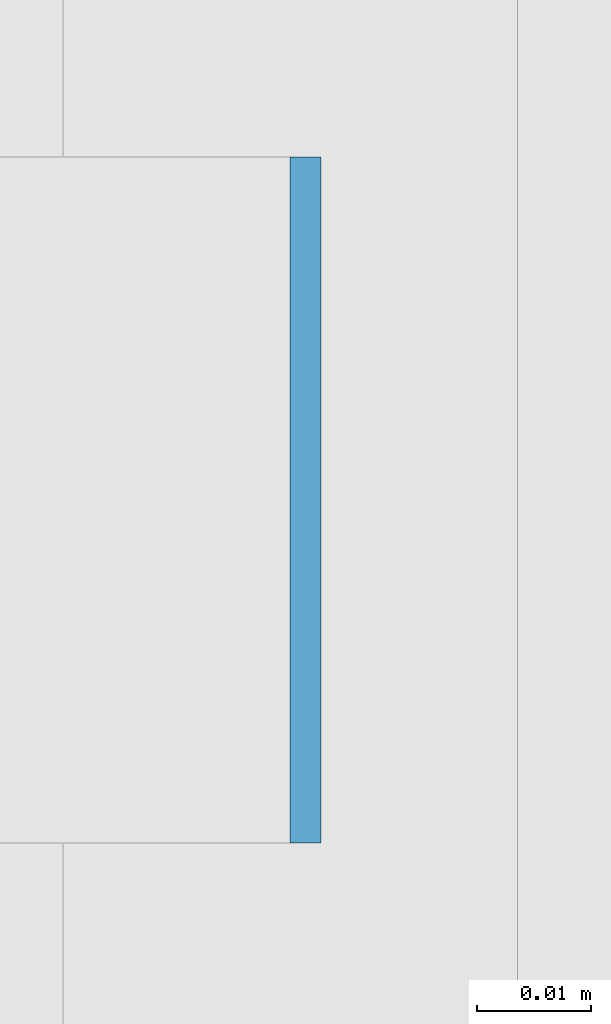
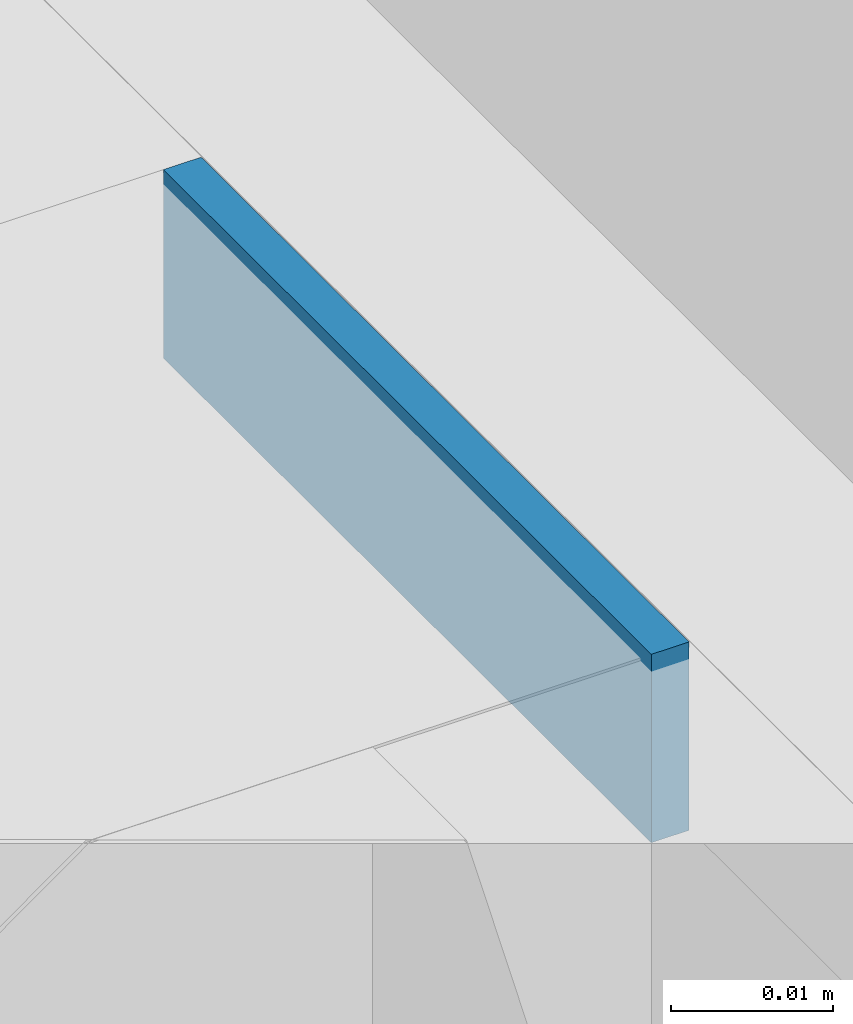
# One storey, part 361 of 646: 1 discrete accessory.
"""IFC4 building model written with IfcOpenShell, lengths in metres."""

import ifcopenshell
import ifcopenshell.guid

model = None  # the IFC model being written
_history = None  # IfcOwnerHistory: only IFC2X3 demands one
_inside = {}  # id of a spatial element -> (the spatial element, [elements in it])
_under = {}  # id of a project, library or spatial element -> (it, [spatial elements below it])
_declared = {}  # id of a project -> (the project, [libraries it declares])
_typed = {}  # id of a type object -> (the type object, [elements of that type])
_made_of = {}  # id of a material, layer set ... -> (it, [elements and type objects made of it])


def new_model(schema):
    """Start an empty IFC model of exactly this schema.

    Asked for "IFC4X3", IfcOpenShell would pick the latest addendum, in which some entities
    have other attributes; the version numbers below select the first issue.
    IFC2X3 requires an IfcOwnerHistory on every rooted entity: one is made here for all.
    """
    global model, _history
    if schema == "IFC4X3":
        model = ifcopenshell.file(schema_version=(4, 3, 0, 0))
    else:
        model = ifcopenshell.file(schema=schema)
    _inside.clear()
    _under.clear()
    _declared.clear()
    _typed.clear()
    _made_of.clear()
    _history = None
    if model.schema == "IFC2X3":
        org = make("IfcOrganization", Name="unknown")
        user = make(
            "IfcPersonAndOrganization",
            ThePerson=make("IfcPerson", FamilyName="unknown"),
            TheOrganization=org,
        )
        app = make(
            "IfcApplication",
            ApplicationDeveloper=org,
            Version="unknown",
            ApplicationFullName="unknown",
            ApplicationIdentifier="unknown",
        )
        _history = make(
            "IfcOwnerHistory",
            OwningUser=user,
            OwningApplication=app,
            ChangeAction="ADDED",
            CreationDate=0,
        )
    return model


def make(cls, **values):
    """One entity of the class cls with the attributes given. An attribute that is None is left unset."""
    return model.create_entity(
        cls, **{name: value for name, value in values.items() if value is not None}
    )


def rooted(cls, **values):
    """An entity with a GlobalId (a new one), such as an element, a storey or a relation."""
    return make(cls, GlobalId=ifcopenshell.guid.new(), OwnerHistory=_history, **values)


def si_unit(unit_type, name, prefix=None):
    """IfcSIUnit, for example si_unit("LENGTHUNIT", "METRE", prefix="MILLI")."""
    return make("IfcSIUnit", UnitType=unit_type, Prefix=prefix, Name=name)


def assignment(units):
    """IfcUnitAssignment: the units of a project."""
    return None if units is None else make("IfcUnitAssignment", Units=units)


def point(xyz):
    """IfcCartesianPoint."""
    return None if xyz is None else make("IfcCartesianPoint", Coordinates=xyz)


def direction(xyz):
    """IfcDirection."""
    return None if xyz is None else make("IfcDirection", DirectionRatios=xyz)


def frame(location, z_axis=None, x_axis=None):
    """IfcAxis2Placement3D, a coordinate frame: its origin and axes. An axis left out is left unset."""
    return make(
        "IfcAxis2Placement3D",
        Location=point(location),
        Axis=direction(z_axis),
        RefDirection=direction(x_axis),
    )


def frame_2d(location, x_axis=None):
    """IfcAxis2Placement2D, a coordinate frame in the plane: its origin and x axis."""
    return make(
        "IfcAxis2Placement2D", Location=point(location), RefDirection=direction(x_axis)
    )


def origin():
    """The frame at (0, 0, 0) with its axes left unset."""
    return frame((0.0, 0.0, 0.0))


def origin_2d():
    """The frame at (0, 0) in the plane with its x axis left unset."""
    return frame_2d((0.0, 0.0))


def place(relative_to, where):
    """IfcLocalPlacement: puts the frame where relative to a parent placement (None: the world)."""
    return make(
        "IfcLocalPlacement", PlacementRelTo=relative_to, RelativePlacement=where
    )


def context(
    kind, dimensions, precision=None, world=None, true_north=None, identifier=None
):
    """IfcGeometricRepresentationContext, for example the 3D "Model" context."""
    return make(
        "IfcGeometricRepresentationContext",
        ContextIdentifier=identifier,
        ContextType=kind,
        CoordinateSpaceDimension=dimensions,
        Precision=precision,
        WorldCoordinateSystem=world,
        TrueNorth=true_north,
    )


def subcontext(parent, identifier, kind, view, scale=None):
    """IfcGeometricRepresentationSubContext, for example "Body" below "Model"."""
    return make(
        "IfcGeometricRepresentationSubContext",
        ContextIdentifier=identifier,
        ContextType=kind,
        ParentContext=parent,
        TargetScale=scale,
        TargetView=view,
    )


def project(units=None, contexts=None):
    """IfcProject with its units and contexts."""
    return rooted(
        "IfcProject",
        Name="project",
        RepresentationContexts=contexts,
        UnitsInContext=assignment(units),
    )


def spatial(cls, under=None, at=None, **own):
    """A site, building, storey or space (cls), placed at a placement, below another one or the project."""
    s = rooted(cls, ObjectPlacement=at, **own)
    if under is not None:
        _under.setdefault(under.id(), (under, []))[1].append(s)
    return s


def profile(cls, at=None, kind="AREA", **sizes):
    """A parametric profile (cls). Its sizes go by their IFC names, for example OverallWidth=200.0."""
    return make(cls, ProfileType=kind, Position=at, **sizes)


def rectangle(**sizes):
    """IfcRectangleProfileDef."""
    return profile("IfcRectangleProfileDef", **sizes)


def extrude(swept, where, along, depth):
    """IfcExtrudedAreaSolid: the profile swept, set in the frame where, extruded along a direction by depth."""
    return make(
        "IfcExtrudedAreaSolid",
        SweptArea=swept,
        Position=where,
        ExtrudedDirection=direction(along),
        Depth=depth,
    )


def shape(context_of_items, identifier, shape_type, items):
    """IfcShapeRepresentation: the items that make up one representation, for example the "Body"."""
    return make(
        "IfcShapeRepresentation",
        ContextOfItems=context_of_items,
        RepresentationIdentifier=identifier,
        RepresentationType=shape_type,
        Items=items,
    )


def material(Name=None, Category=None):
    """IfcMaterial."""
    return make("IfcMaterial", Name=Name, Category=Category)


def made_of(thing, what):
    """Note that an element or type object is made of a material, layer set ...; save() writes the relation."""
    if what is not None:
        _made_of.setdefault(what.id(), (what, []))[1].append(thing)
    return thing


def type_object(cls, material=None, **own):
    """A type object (cls), such as IfcWallType, which elements share."""
    return made_of(rooted(cls, **own), material)


def element(
    cls,
    number,
    at=None,
    inside=None,
    cuts=None,
    type_object=None,
    material=None,
    context=None,
    identifier="Body",
    shape_type=None,
    held_by="IfcProductDefinitionShape",
    body=None,
    shapes=None,
    **own,
):
    """One element of the class cls, such as IfcWall. Its Tag is "e" and its number.

    at: its placement. inside: the storey or other place that contains it. cuts: it is an
    opening in that element (IfcRelVoidsElement). A single representation is given by context,
    identifier, shape_type and body (its items); several are given by shapes. held_by: the class
    of the entity that holds the representations. save() writes the other relations.
    """
    e = rooted(cls, Tag="e%d" % number, ObjectPlacement=at, **own)
    if body is not None:
        shapes = [shape(context, identifier, shape_type, body)]
    if shapes is not None:
        e.Representation = make(held_by, Representations=shapes)
    if inside is not None:
        _inside.setdefault(inside.id(), (inside, []))[1].append(e)
    if cuts is not None:
        rooted(
            "IfcRelVoidsElement", RelatingBuildingElement=cuts, RelatedOpeningElement=e
        )
    if type_object is not None:
        _typed.setdefault(type_object.id(), (type_object, []))[1].append(e)
    return made_of(e, material)


def aggregate(whole, parts):
    """IfcRelAggregates: a whole, such as a stair, and the parts it consists of."""
    return rooted("IfcRelAggregates", RelatingObject=whole, RelatedObjects=parts)


def save(model, path):
    """Write the relations noted so far, then the file.

    IfcRelAggregates (storeys below a building ...), IfcRelContainedInSpatialStructure (elements
    in a storey), IfcRelDefinesByType, IfcRelAssociatesMaterial and IfcRelDeclares: one each for
    every whole, place, type object, material and project.
    """
    for whole, parts in _under.values():
        aggregate(whole, parts)
    for where, things in _inside.values():
        rooted(
            "IfcRelContainedInSpatialStructure",
            RelatedElements=things,
            RelatingStructure=where,
        )
    for kind, things in _typed.values():
        rooted("IfcRelDefinesByType", RelatedObjects=things, RelatingType=kind)
    for what, things in _made_of.values():
        rooted("IfcRelAssociatesMaterial", RelatedObjects=things, RelatingMaterial=what)
    for by, libraries in _declared.values():
        rooted("IfcRelDeclares", RelatingContext=by, RelatedDefinitions=libraries)
    model.write(path)


model = new_model("IFC4")

# Units and contexts
model_context = context("Model", 3, precision=1e-05, world=origin(), true_north=direction((0.0, 1.0)))
body_context = subcontext(model_context, "Body", "Model", "MODEL_VIEW")
ifc_project = project(units=[si_unit("LENGTHUNIT", "METRE"), si_unit("AREAUNIT", "SQUARE_METRE"), si_unit("VOLUMEUNIT", "CUBIC_METRE"), si_unit("PLANEANGLEUNIT", "RADIAN"), si_unit("MASSUNIT", "GRAM", prefix="KILO")], contexts=[model_context])

# Site, building, storey
site_placement = place(None, origin())
site = spatial("IfcSite", under=ifc_project, at=site_placement, CompositionType="ELEMENT")
building_placement = place(site_placement, origin())
building = spatial("IfcBuilding", under=site, at=building_placement, Name="Silverbay Arena", CompositionType="ELEMENT")
storey_placement = place(building_placement, frame((0.0, 0.0, 33.5)))
storey = spatial("IfcBuildingStorey", under=building, at=storey_placement, Name="L05", CompositionType="ELEMENT", Elevation=33.5)

# Discrete accessory
ifc_material = material(Name="Steel S355", Category="steel")
discrete_accessory_type = type_object("IfcDiscreteAccessoryType", Name="Steel bracket plate", PredefinedType="BRACKET", material=ifc_material)
discrete_accessory_placement = place(storey_placement, frame((53.871337890625, 97.71435546875, 12.98583984375), z_axis=(0.0, 0.0, 1.0), x_axis=(1.0, 0.0, 0.0)))
element("IfcDiscreteAccessory", 1, at=discrete_accessory_placement, inside=storey, type_object=discrete_accessory_type, Name="Curtain wall packing plate", PredefinedType="BRACKET", context=body_context, shape_type="SweptSolid", body=[
    extrude(rectangle(XDim=0.002685546875, YDim=0.06005859375, at=origin_2d()), origin(), (0.0, 0.0, 1.0), 0.01416015625),
])

save(model, "model.ifc")
